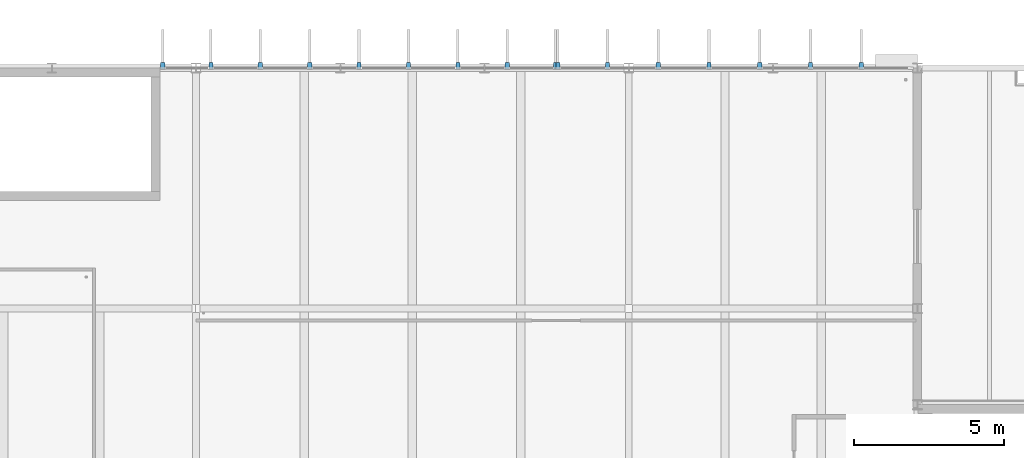
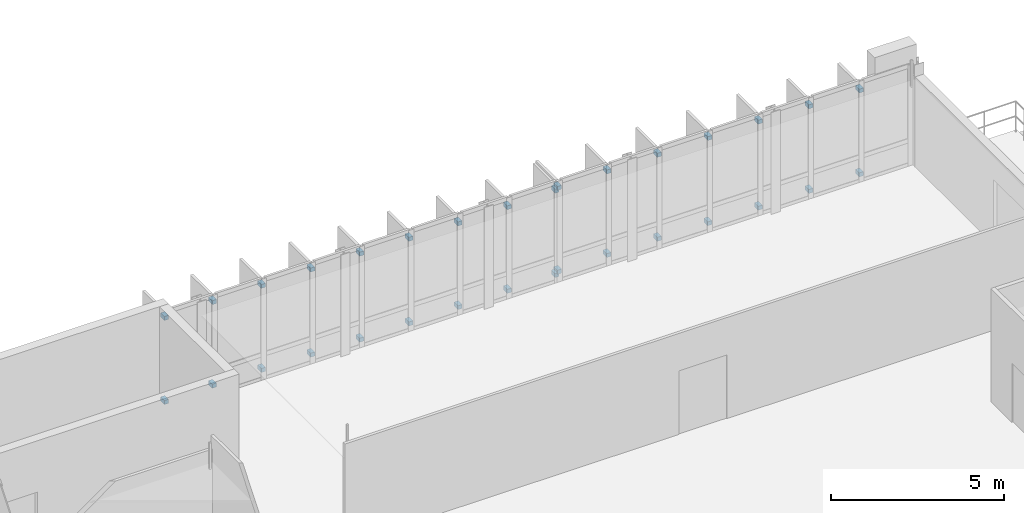
# One storey, part 19 of 22: 32 discrete accessories.
"""IFC4 building model written with IfcOpenShell, lengths in metres."""

from ifc_helpers import new_model, si_unit, direction, frame, origin, origin_2d, place, context, subcontext, project, spatial, rectangle, extrude, material, type_object, element, save


model = new_model("IFC4")

# Units and contexts
model_context = context("Model", 3, precision=1e-05, world=origin(), true_north=direction((0.0, 1.0)))
body_context = subcontext(model_context, "Body", "Model", "MODEL_VIEW")
ifc_project = project(units=[si_unit("LENGTHUNIT", "METRE"), si_unit("AREAUNIT", "SQUARE_METRE"), si_unit("VOLUMEUNIT", "CUBIC_METRE"), si_unit("PLANEANGLEUNIT", "RADIAN"), si_unit("MASSUNIT", "GRAM", prefix="KILO")], contexts=[model_context])

# Site, building, storey
site_placement = place(None, origin())
site = spatial("IfcSite", under=ifc_project, at=site_placement, CompositionType="ELEMENT")
building_placement = place(site_placement, origin())
building = spatial("IfcBuilding", under=site, at=building_placement, Name="Dunescarp Central Library", CompositionType="ELEMENT")
storey_placement = place(building_placement, frame((0.0, 0.0, 27.60009765625)))
storey = spatial("IfcBuildingStorey", under=building, at=storey_placement, Name="L06", CompositionType="ELEMENT", Elevation=27.60009765625)

# Discrete accessories
ifc_material = material(Name="Stainless steel Grade 316L", Category="steel")
discrete_accessory_type = type_object("IfcDiscreteAccessoryType", Name="ARC-ACC-BRK", PredefinedType="BRACKET", material=ifc_material)
for number, where, z_axis, x_axis, name in (
    (1, (21.639892578125, 36.8798828125, 0.27685546875), (0.0, 0.0, 1.0), (0.0, 1.0, 0.0), "Fin bracket BRK-FIN-L06-0283-B"),
    (2, (21.639892578125, 36.8798828125, 3.2451171875), (0.0, 0.0, 1.0), (0.0, 1.0, 0.0), "Fin bracket BRK-FIN-L06-0283-T"),
    (3, (23.2890625, 36.8798828125, 0.2900390625), (0.0, 0.0, 1.0), (0.0, 1.0, 0.0), "Fin bracket BRK-FIN-L06-0284-B"),
    (4, (23.2890625, 36.8798828125, 3.2451171875), (0.0, 0.0, 1.0), (0.0, 1.0, 0.0), "Fin bracket BRK-FIN-L06-0284-T"),
    (5, (24.97900390625, 36.8798828125, 0.27392578125), (0.0, 0.0, 1.0), (0.0, 1.0, 0.0), "Fin bracket BRK-FIN-L06-0285-B"),
    (6, (24.97900390625, 36.8798828125, 3.2451171875), (0.0, 0.0, 1.0), (0.0, 1.0, 0.0), "Fin bracket BRK-FIN-L06-0285-T"),
    (7, (26.66796875, 36.8798828125, 0.23291015625), (0.0, 0.0, 1.0), (0.0, 1.0, 0.0), "Fin bracket BRK-FIN-L06-0286-B"),
    (8, (26.66796875, 36.8798828125, 3.2451171875), (0.0, 0.0, 1.0), (0.0, 1.0, 0.0), "Fin bracket BRK-FIN-L06-0286-T"),
    (9, (28.35693359375, 36.8798828125, 0.18994140625), (0.0, 0.0, 1.0), (0.0, 1.0, 0.0), "Fin bracket BRK-FIN-L06-0287-B"),
    (10, (28.35693359375, 36.8798828125, 3.23388671875), (0.0, 0.0, 1.0), (0.0, 1.0, 0.0), "Fin bracket BRK-FIN-L06-0287-T"),
    (11, (30.0458984375, 36.8798828125, 0.18994140625), (0.0, 0.0, 1.0), (0.0, 1.0, 0.0), "Fin bracket BRK-FIN-L06-0288-B"),
    (12, (30.0458984375, 36.8798828125, 3.18408203125), (0.0, 0.0, 1.0), (0.0, 1.0, 0.0), "Fin bracket BRK-FIN-L06-0288-T"),
    (13, (31.736083984375, 36.8798828125, 0.18994140625), (0.0, 0.0, 1.0), (0.0, 1.0, 0.0), "Fin bracket BRK-FIN-L06-0289-B"),
    (14, (31.736083984375, 36.8798828125, 3.15087890625), (0.0, 0.0, 1.0), (0.0, 1.0, 0.0), "Fin bracket BRK-FIN-L06-0289-T"),
    (15, (8.489990234375, 36.8798828125, 0.27685546875), (0.0, 0.0, 1.0), (0.0, 1.0, 0.0), "Fin bracket BRK-FIN-L06-0290-B"),
    (16, (8.489990234375, 36.8798828125, 3.2451171875), (0.0, 0.0, 1.0), (0.0, 1.0, 0.0), "Fin bracket BRK-FIN-L06-0290-T"),
    (17, (10.093994140625, 36.8798828125, 0.2900390625), (0.0, 0.0, 1.0), (0.0, 1.0, 0.0), "Fin bracket BRK-FIN-L06-0291-B"),
    (18, (10.093994140625, 36.8798828125, 3.2451171875), (0.0, 0.0, 1.0), (0.0, 1.0, 0.0), "Fin bracket BRK-FIN-L06-0291-T"),
    (19, (11.738037109375, 36.8798828125, 0.27392578125), (0.0, 0.0, 1.0), (0.0, 1.0, 0.0), "Fin bracket BRK-FIN-L06-0292-B"),
    (20, (11.738037109375, 36.8798828125, 3.2451171875), (0.0, 0.0, 1.0), (0.0, 1.0, 0.0), "Fin bracket BRK-FIN-L06-0292-T"),
    (21, (13.381103515625, 36.8798828125, 0.23291015625), (0.0, 0.0, 1.0), (0.0, 1.0, 0.0), "Fin bracket BRK-FIN-L06-0293-B"),
    (22, (13.381103515625, 36.8798828125, 3.2451171875), (0.0, 0.0, 1.0), (0.0, 1.0, 0.0), "Fin bracket BRK-FIN-L06-0293-T"),
    (23, (15.02490234375, 36.8798828125, 0.18994140625), (0.0, 0.0, 1.0), (0.0, 1.0, 0.0), "Fin bracket BRK-FIN-L06-0294-B"),
    (24, (15.02490234375, 36.8798828125, 3.23388671875), (0.0, 0.0, 1.0), (0.0, 1.0, 0.0), "Fin bracket BRK-FIN-L06-0294-T"),
    (25, (16.6689453125, 36.8798828125, 0.18994140625), (0.0, 0.0, 1.0), (0.0, 1.0, 0.0), "Fin bracket BRK-FIN-L06-0295-B"),
    (26, (16.6689453125, 36.8798828125, 3.18408203125), (0.0, 0.0, 1.0), (0.0, 1.0, 0.0), "Fin bracket BRK-FIN-L06-0295-T"),
    (27, (18.31201171875, 36.8798828125, 0.18994140625), (0.0, 0.0, 1.0), (0.0, 1.0, 0.0), "Fin bracket BRK-FIN-L06-0296-B"),
    (28, (18.31201171875, 36.8798828125, 3.15087890625), (0.0, 0.0, 1.0), (0.0, 1.0, 0.0), "Fin bracket BRK-FIN-L06-0296-T"),
    (29, (19.9560546875, 36.8798828125, 0.18994140625), (0.0, 0.0, 1.0), (0.0, 1.0, 0.0), "Fin bracket BRK-FIN-L06-0297-B"),
    (30, (19.9560546875, 36.8798828125, 3.14697265625), (0.0, 0.0, 1.0), (0.0, 1.0, 0.0), "Fin bracket BRK-FIN-L06-0297-T"),
    (31, (21.56005859375, 36.8798828125, 0.18994140625), (0.0, 0.0, 1.0), (0.0, 1.0, 0.0), "Fin bracket BRK-FIN-L06-0298-B"),
    (32, (21.56005859375, 36.8798828125, 3.1708984375), (0.0, 0.0, 1.0), (0.0, 1.0, 0.0), "Fin bracket BRK-FIN-L06-0298-T"),
):
    element("IfcDiscreteAccessory", number, at=place(storey_placement, frame(where, z_axis=z_axis, x_axis=x_axis)), inside=storey, type_object=discrete_accessory_type, Name=name, PredefinedType="BRACKET", context=body_context, shape_type="SweptSolid", body=[
        extrude(rectangle(XDim=0.219970703125, YDim=0.139892578125, at=origin_2d()), origin(), (0.0, 0.0, 1.0), 0.139892578125),
    ])

save(model, "model.ifc")
